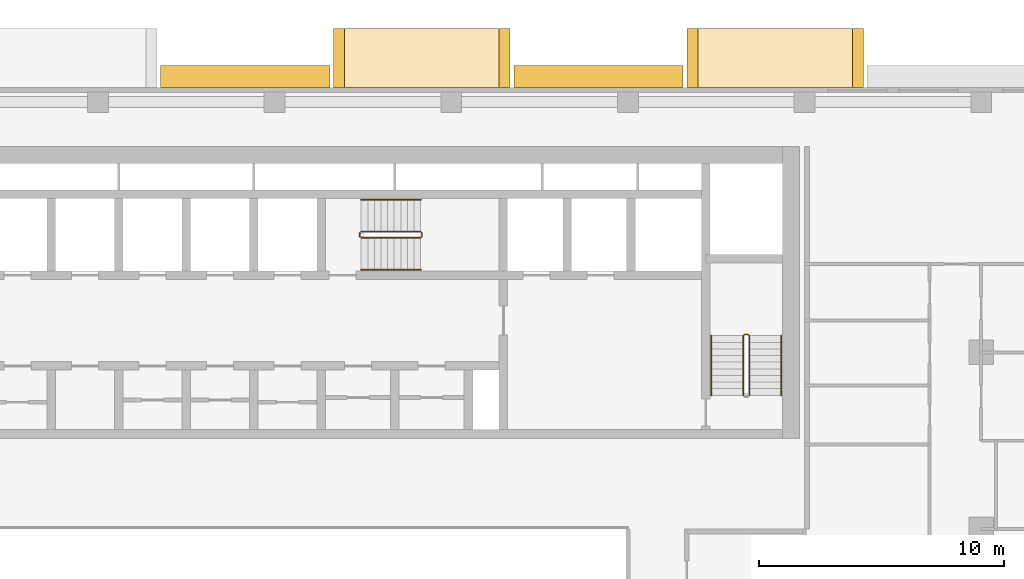
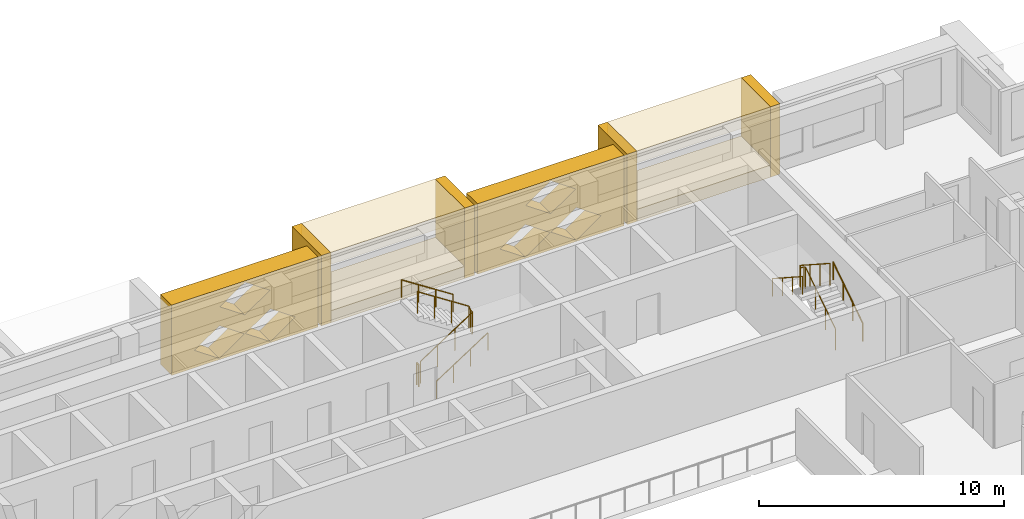
# One storey, part 19 of 20: 10 coverings, 7 railings.
"""IFC4 building model written with IfcOpenShell, lengths in metres."""

import ifcopenshell
import ifcopenshell.guid

model = None  # the IFC model being written
_history = None  # IfcOwnerHistory: only IFC2X3 demands one
_inside = {}  # id of a spatial element -> (the spatial element, [elements in it])
_under = {}  # id of a project, library or spatial element -> (it, [spatial elements below it])
_declared = {}  # id of a project -> (the project, [libraries it declares])
_typed = {}  # id of a type object -> (the type object, [elements of that type])
_made_of = {}  # id of a material, layer set ... -> (it, [elements and type objects made of it])


def new_model(schema):
    """Start an empty IFC model of exactly this schema.

    Asked for "IFC4X3", IfcOpenShell would pick the latest addendum, in which some entities
    have other attributes; the version numbers below select the first issue.
    IFC2X3 requires an IfcOwnerHistory on every rooted entity: one is made here for all.
    """
    global model, _history
    if schema == "IFC4X3":
        model = ifcopenshell.file(schema_version=(4, 3, 0, 0))
    else:
        model = ifcopenshell.file(schema=schema)
    _inside.clear()
    _under.clear()
    _declared.clear()
    _typed.clear()
    _made_of.clear()
    _history = None
    if model.schema == "IFC2X3":
        org = make("IfcOrganization", Name="unknown")
        user = make(
            "IfcPersonAndOrganization",
            ThePerson=make("IfcPerson", FamilyName="unknown"),
            TheOrganization=org,
        )
        app = make(
            "IfcApplication",
            ApplicationDeveloper=org,
            Version="unknown",
            ApplicationFullName="unknown",
            ApplicationIdentifier="unknown",
        )
        _history = make(
            "IfcOwnerHistory",
            OwningUser=user,
            OwningApplication=app,
            ChangeAction="ADDED",
            CreationDate=0,
        )
    return model


def make(cls, **values):
    """One entity of the class cls with the attributes given. An attribute that is None is left unset."""
    return model.create_entity(
        cls, **{name: value for name, value in values.items() if value is not None}
    )


def rooted(cls, **values):
    """An entity with a GlobalId (a new one), such as an element, a storey or a relation."""
    return make(cls, GlobalId=ifcopenshell.guid.new(), OwnerHistory=_history, **values)


def si_unit(unit_type, name, prefix=None):
    """IfcSIUnit, for example si_unit("LENGTHUNIT", "METRE", prefix="MILLI")."""
    return make("IfcSIUnit", UnitType=unit_type, Prefix=prefix, Name=name)


def assignment(units):
    """IfcUnitAssignment: the units of a project."""
    return None if units is None else make("IfcUnitAssignment", Units=units)


def point(xyz):
    """IfcCartesianPoint."""
    return None if xyz is None else make("IfcCartesianPoint", Coordinates=xyz)


def direction(xyz):
    """IfcDirection."""
    return None if xyz is None else make("IfcDirection", DirectionRatios=xyz)


def frame(location, z_axis=None, x_axis=None):
    """IfcAxis2Placement3D, a coordinate frame: its origin and axes. An axis left out is left unset."""
    return make(
        "IfcAxis2Placement3D",
        Location=point(location),
        Axis=direction(z_axis),
        RefDirection=direction(x_axis),
    )


def frame_2d(location, x_axis=None):
    """IfcAxis2Placement2D, a coordinate frame in the plane: its origin and x axis."""
    return make(
        "IfcAxis2Placement2D", Location=point(location), RefDirection=direction(x_axis)
    )


def origin():
    """The frame at (0, 0, 0) with its axes left unset."""
    return frame((0.0, 0.0, 0.0))


def origin_2d():
    """The frame at (0, 0) in the plane with its x axis left unset."""
    return frame_2d((0.0, 0.0))


def place(relative_to, where):
    """IfcLocalPlacement: puts the frame where relative to a parent placement (None: the world)."""
    return make(
        "IfcLocalPlacement", PlacementRelTo=relative_to, RelativePlacement=where
    )


def context(
    kind, dimensions, precision=None, world=None, true_north=None, identifier=None
):
    """IfcGeometricRepresentationContext, for example the 3D "Model" context."""
    return make(
        "IfcGeometricRepresentationContext",
        ContextIdentifier=identifier,
        ContextType=kind,
        CoordinateSpaceDimension=dimensions,
        Precision=precision,
        WorldCoordinateSystem=world,
        TrueNorth=true_north,
    )


def subcontext(parent, identifier, kind, view, scale=None):
    """IfcGeometricRepresentationSubContext, for example "Body" below "Model"."""
    return make(
        "IfcGeometricRepresentationSubContext",
        ContextIdentifier=identifier,
        ContextType=kind,
        ParentContext=parent,
        TargetScale=scale,
        TargetView=view,
    )


def project(units=None, contexts=None):
    """IfcProject with its units and contexts."""
    return rooted(
        "IfcProject",
        Name="project",
        RepresentationContexts=contexts,
        UnitsInContext=assignment(units),
    )


def spatial(cls, under=None, at=None, **own):
    """A site, building, storey or space (cls), placed at a placement, below another one or the project."""
    s = rooted(cls, ObjectPlacement=at, **own)
    if under is not None:
        _under.setdefault(under.id(), (under, []))[1].append(s)
    return s


def polyline(points):
    """IfcPolyline through the points."""
    return make("IfcPolyline", Points=[point(p) for p in points])


def profile(cls, at=None, kind="AREA", **sizes):
    """A parametric profile (cls). Its sizes go by their IFC names, for example OverallWidth=200.0."""
    return make(cls, ProfileType=kind, Position=at, **sizes)


def circle(**sizes):
    """IfcCircleProfileDef."""
    return profile("IfcCircleProfileDef", **sizes)


def outline(outer, holes=None, kind="AREA"):
    """IfcArbitraryClosedProfileDef: a profile drawn as a closed curve; with holes, ...WithVoids."""
    if holes is None:
        return make("IfcArbitraryClosedProfileDef", ProfileType=kind, OuterCurve=outer)
    return make(
        "IfcArbitraryProfileDefWithVoids",
        ProfileType=kind,
        OuterCurve=outer,
        InnerCurves=holes,
    )


def extrude(swept, where, along, depth):
    """IfcExtrudedAreaSolid: the profile swept, set in the frame where, extruded along a direction by depth."""
    return make(
        "IfcExtrudedAreaSolid",
        SweptArea=swept,
        Position=where,
        ExtrudedDirection=direction(along),
        Depth=depth,
    )


def shape(context_of_items, identifier, shape_type, items):
    """IfcShapeRepresentation: the items that make up one representation, for example the "Body"."""
    return make(
        "IfcShapeRepresentation",
        ContextOfItems=context_of_items,
        RepresentationIdentifier=identifier,
        RepresentationType=shape_type,
        Items=items,
    )


def material(Name=None, Category=None):
    """IfcMaterial."""
    return make("IfcMaterial", Name=Name, Category=Category)


def made_of(thing, what):
    """Note that an element or type object is made of a material, layer set ...; save() writes the relation."""
    if what is not None:
        _made_of.setdefault(what.id(), (what, []))[1].append(thing)
    return thing


def type_object(cls, material=None, **own):
    """A type object (cls), such as IfcWallType, which elements share."""
    return made_of(rooted(cls, **own), material)


def element(
    cls,
    number,
    at=None,
    inside=None,
    cuts=None,
    type_object=None,
    material=None,
    context=None,
    identifier="Body",
    shape_type=None,
    held_by="IfcProductDefinitionShape",
    body=None,
    shapes=None,
    **own,
):
    """One element of the class cls, such as IfcWall. Its Tag is "e" and its number.

    at: its placement. inside: the storey or other place that contains it. cuts: it is an
    opening in that element (IfcRelVoidsElement). A single representation is given by context,
    identifier, shape_type and body (its items); several are given by shapes. held_by: the class
    of the entity that holds the representations. save() writes the other relations.
    """
    e = rooted(cls, Tag="e%d" % number, ObjectPlacement=at, **own)
    if body is not None:
        shapes = [shape(context, identifier, shape_type, body)]
    if shapes is not None:
        e.Representation = make(held_by, Representations=shapes)
    if inside is not None:
        _inside.setdefault(inside.id(), (inside, []))[1].append(e)
    if cuts is not None:
        rooted(
            "IfcRelVoidsElement", RelatingBuildingElement=cuts, RelatedOpeningElement=e
        )
    if type_object is not None:
        _typed.setdefault(type_object.id(), (type_object, []))[1].append(e)
    return made_of(e, material)


def aggregate(whole, parts):
    """IfcRelAggregates: a whole, such as a stair, and the parts it consists of."""
    return rooted("IfcRelAggregates", RelatingObject=whole, RelatedObjects=parts)


def save(model, path):
    """Write the relations noted so far, then the file.

    IfcRelAggregates (storeys below a building ...), IfcRelContainedInSpatialStructure (elements
    in a storey), IfcRelDefinesByType, IfcRelAssociatesMaterial and IfcRelDeclares: one each for
    every whole, place, type object, material and project.
    """
    for whole, parts in _under.values():
        aggregate(whole, parts)
    for where, things in _inside.values():
        rooted(
            "IfcRelContainedInSpatialStructure",
            RelatedElements=things,
            RelatingStructure=where,
        )
    for kind, things in _typed.values():
        rooted("IfcRelDefinesByType", RelatedObjects=things, RelatingType=kind)
    for what, things in _made_of.values():
        rooted("IfcRelAssociatesMaterial", RelatedObjects=things, RelatingMaterial=what)
    for by, libraries in _declared.values():
        rooted("IfcRelDeclares", RelatingContext=by, RelatedDefinitions=libraries)
    model.write(path)


model = new_model("IFC4")

# Units and contexts
model_context = context("Model", 3, precision=1e-05, world=origin(), true_north=direction((0.0, 1.0)))
body_context = subcontext(model_context, "Body", "Model", "MODEL_VIEW")
ifc_project = project(units=[si_unit("LENGTHUNIT", "METRE"), si_unit("AREAUNIT", "SQUARE_METRE"), si_unit("VOLUMEUNIT", "CUBIC_METRE"), si_unit("PLANEANGLEUNIT", "RADIAN"), si_unit("MASSUNIT", "GRAM", prefix="KILO")], contexts=[model_context])

# Site, building, storey
site_placement = place(None, origin())
site = spatial("IfcSite", under=ifc_project, at=site_placement, CompositionType="ELEMENT")
building_placement = place(site_placement, origin())
building = spatial("IfcBuilding", under=site, at=building_placement, Name="Saffron Iwan Residences", CompositionType="ELEMENT")
storey_placement = place(building_placement, frame((0.0, 0.0, 146.5)))
storey = spatial("IfcBuildingStorey", under=building, at=storey_placement, Name="L38", CompositionType="ELEMENT", Elevation=146.5)

# Coverings
ifc_material_1 = material(Name="Precast concrete C40/50", Category="concrete")
covering_type_1 = type_object("IfcCoveringType", Name="OUTER SKIN LATTICE SCREEN", PredefinedType="CLADDING", material=ifc_material_1)
for number, where, z_axis, x_axis, name in (
    (1, (67.050048828125, 80.39990234375, -0.300048828125), (0.0, 1.0, 0.0), (-1.0, 0.0, 0.0), "OUTER SKIN lattice screen L38 F5.1"),
    (2, (52.64990234375, 80.39990234375, -0.300048828125), (0.0, 1.0, 0.0), (-1.0, 0.0, 0.0), "OUTER SKIN lattice screen L38 F5.2"),
):
    element("IfcCovering", number, at=place(storey_placement, frame(where, z_axis=z_axis, x_axis=x_axis)), inside=storey, type_object=covering_type_1, Name=name, PredefinedType="CLADDING", context=body_context, shape_type="SweptSolid", body=[
        extrude(outline(polyline([(0.0, 0.0), (6.89990234375, 0.0), (6.89990234375, 3.5), (0.0, 3.5), (0.0, 0.0)]), holes=[polyline([(1.070068359375, 0.875), (2.25, 0.06005859375), (3.429931640625, 0.875), (2.25, 1.68994140625), (1.070068359375, 0.875)]), polyline([(3.469970703125, 0.875), (4.64990234375, 0.06005859375), (5.830078125, 0.875), (4.64990234375, 1.68994140625), (3.469970703125, 0.875)]), polyline([(2.27001953125, 2.625), (3.449951171875, 1.81005859375), (4.6298828125, 2.625), (3.449951171875, 3.43994140625), (2.27001953125, 2.625)])]), origin(), (0.0, 0.0, 1.0), 0.900146484375),
    ])

# Railings
ifc_material_2 = material(Name="Steel S355", Category="steel")
railing_type_1 = type_object("IfcRailingType", Name="Stair guard 1100", PredefinedType="GUARDRAIL", material=ifc_material_2)
railing_1_placement = place(storey_placement, frame((53.925048828125, 74.27490234375, 0.175048828125)))
element("IfcRailing", 3, at=railing_1_placement, inside=storey, type_object=railing_type_1, Name="L38 ST-C stair guard 1", PredefinedType="GUARDRAIL", context=body_context, shape_type="SweptSolid", body=[
    extrude(circle(Radius=0.02392578125, at=origin_2d()), frame((0.0, 0.0, 1.076171875), z_axis=(0.839153699163, 0.0, 0.543894354798), x_axis=(0.0, 1.0, 0.0)), (0.0, 0.0, 1.0), 2.895751953125),
    extrude(circle(Radius=0.02392578125, at=origin_2d()), frame((2.429931640625, 0.0, 2.65087890625), z_axis=(0.707106781187, 0.707106781187, 0.0), x_axis=(-0.707106781187, 0.707106781187, 0.0)), (0.0, 0.0, 1.0), 0.07080078125),
    extrude(circle(Radius=0.02392578125, at=origin_2d()), frame((2.47998046875, 0.050048828125, 2.65087890625), z_axis=(0.0, 1.0, 0.0), x_axis=(-1.0, 0.0, 0.0)), (0.0, 0.0, 1.0), 0.150146484375),
    extrude(circle(Radius=0.02392578125, at=origin_2d()), frame((2.47998046875, 0.2001953125, 2.65087890625), z_axis=(-0.265155923931, 0.263862480399, 0.927399011991), x_axis=(-0.705375805398, -0.708833529934, 0.0)), (0.0, 0.0, 1.0), 0.188720703125),
    extrude(circle(Radius=0.02392578125, at=origin_2d()), frame((2.429931640625, 0.25, 2.826171875), z_axis=(-0.839153699163, 0.0, 0.543894354798), x_axis=(0.0, -1.0, 0.0)), (0.0, 0.0, 1.0), 2.895751953125),
    extrude(circle(Radius=0.02099609375, at=origin_2d()), origin(), (0.0, 0.0, 1.0), 1.052001953125),
    extrude(circle(Radius=0.02099609375, at=origin_2d()), frame((0.81005859375, 0.0, 0.52490234375)), (0.0, 0.0, 1.0), 1.052001953125),
    extrude(circle(Radius=0.02099609375, at=origin_2d()), frame((1.619873046875, 0.0, 1.050048828125)), (0.0, 0.0, 1.0), 1.052001953125),
    extrude(circle(Radius=0.02099609375, at=origin_2d()), frame((2.429931640625, 0.0, 1.574951171875)), (0.0, 0.0, 1.0), 1.052001953125),
    extrude(circle(Radius=0.02099609375, at=origin_2d()), frame((2.47998046875, 0.050048828125, 1.574951171875)), (0.0, 0.0, 1.0), 1.052001953125),
    extrude(circle(Radius=0.02099609375, at=origin_2d()), frame((2.47998046875, 0.2001953125, 1.574951171875)), (0.0, 0.0, 1.0), 1.052001953125),
    extrude(circle(Radius=0.02099609375, at=origin_2d()), frame((2.429931640625, 0.25, 1.75)), (0.0, 0.0, 1.0), 1.052001953125),
    extrude(circle(Radius=0.02099609375, at=origin_2d()), frame((1.619873046875, 0.25, 2.27490234375)), (0.0, 0.0, 1.0), 1.052001953125),
    extrude(circle(Radius=0.02099609375, at=origin_2d()), frame((0.81005859375, 0.25, 2.800048828125)), (0.0, 0.0, 1.0), 1.052001953125),
    extrude(circle(Radius=0.02099609375, at=origin_2d()), frame((0.0, 0.25, 3.324951171875)), (0.0, 0.0, 1.0), 1.052001953125),
])
railing_2_placement = place(storey_placement, frame((53.875, 74.324951171875, 0.0)))
element("IfcRailing", 4, at=railing_2_placement, inside=storey, type_object=railing_type_1, Name="L38 ST-C stair guard 2", PredefinedType="GUARDRAIL", context=body_context, shape_type="SweptSolid", body=[
    extrude(circle(Radius=0.02392578125, at=origin_2d()), frame((0.0, 0.0, 1.076171875), z_axis=(0.0, 1.0, 0.0), x_axis=(-1.0, 0.0, 0.0)), (0.0, 0.0, 1.0), 0.150146484375),
    extrude(circle(Radius=0.02099609375, at=origin_2d()), origin(), (0.0, 0.0, 1.0), 1.052001953125),
    extrude(circle(Radius=0.02099609375, at=origin_2d()), frame((0.0, 0.150146484375, 0.0)), (0.0, 0.0, 1.0), 1.052001953125),
])
railing_3_placement = place(storey_placement, frame((69.75, 67.85009765625, 0.175048828125)))
element("IfcRailing", 5, at=railing_3_placement, inside=storey, type_object=railing_type_1, Name="L38 ST-E stair guard 1", PredefinedType="GUARDRAIL", context=body_context, shape_type="SweptSolid", body=[
    extrude(circle(Radius=0.02392578125, at=origin_2d()), frame((0.0, 0.0, 1.076171875), z_axis=(0.0, 0.839153699163, 0.543894354798), x_axis=(-1.0, 0.0, 0.0)), (0.0, 0.0, 1.0), 2.895751953125),
    extrude(circle(Radius=0.02392578125, at=origin_2d()), frame((0.0, 2.429931640625, 2.65087890625), z_axis=(-0.707106781187, 0.707106781187, 0.0), x_axis=(-0.707106781187, -0.707106781187, 0.0)), (0.0, 0.0, 1.0), 0.07080078125),
    extrude(circle(Radius=0.02392578125, at=origin_2d()), frame((-0.050048828125, 2.47998046875, 2.65087890625), z_axis=(-1.0, 0.0, 0.0), x_axis=(0.0, -1.0, 0.0)), (0.0, 0.0, 1.0), 0.14990234375),
    extrude(circle(Radius=0.02392578125, at=origin_2d()), frame((-0.199951171875, 2.47998046875, 2.65087890625), z_axis=(-0.265065253269, -0.265065253269, 0.927081885822), x_axis=(0.707106781187, -0.707106781187, 0.0)), (0.0, 0.0, 1.0), 0.188720703125),
    extrude(circle(Radius=0.02392578125, at=origin_2d()), frame((-0.25, 2.429931640625, 2.826171875), z_axis=(0.0, -0.839153699163, 0.543894354798), x_axis=(1.0, 0.0, 0.0)), (0.0, 0.0, 1.0), 2.895751953125),
    extrude(circle(Radius=0.02099609375, at=origin_2d()), origin(), (0.0, 0.0, 1.0), 1.052001953125),
    extrude(circle(Radius=0.02099609375, at=origin_2d()), frame((0.0, 0.81005859375, 0.52490234375)), (0.0, 0.0, 1.0), 1.052001953125),
    extrude(circle(Radius=0.02099609375, at=origin_2d()), frame((0.0, 1.619873046875, 1.050048828125)), (0.0, 0.0, 1.0), 1.052001953125),
    extrude(circle(Radius=0.02099609375, at=origin_2d()), frame((0.0, 2.429931640625, 1.574951171875)), (0.0, 0.0, 1.0), 1.052001953125),
    extrude(circle(Radius=0.02099609375, at=origin_2d()), frame((-0.050048828125, 2.47998046875, 1.574951171875)), (0.0, 0.0, 1.0), 1.052001953125),
    extrude(circle(Radius=0.02099609375, at=origin_2d()), frame((-0.199951171875, 2.47998046875, 1.574951171875)), (0.0, 0.0, 1.0), 1.052001953125),
    extrude(circle(Radius=0.02099609375, at=origin_2d()), frame((-0.25, 2.429931640625, 1.75)), (0.0, 0.0, 1.0), 1.052001953125),
    extrude(circle(Radius=0.02099609375, at=origin_2d()), frame((-0.25, 1.619873046875, 2.27490234375)), (0.0, 0.0, 1.0), 1.052001953125),
    extrude(circle(Radius=0.02099609375, at=origin_2d()), frame((-0.25, 0.81005859375, 2.800048828125)), (0.0, 0.0, 1.0), 1.052001953125),
    extrude(circle(Radius=0.02099609375, at=origin_2d()), frame((-0.25, 0.0, 3.324951171875)), (0.0, 0.0, 1.0), 1.052001953125),
])
ifc_material_3 = material(Name="Stainless steel 316", Category="steel")
railing_type_2 = type_object("IfcRailingType", Name="Stair handrail 900", PredefinedType="HANDRAIL", material=ifc_material_3)
railing_4_placement = place(storey_placement, frame((53.925048828125, 72.97509765625, 0.175048828125)))
element("IfcRailing", 6, at=railing_4_placement, inside=storey, type_object=railing_type_2, Name="L38 ST-C stair handrail 1", PredefinedType="HANDRAIL", context=body_context, shape_type="SweptSolid", body=[
    extrude(circle(Radius=0.02392578125, at=origin_2d()), frame((0.0, 0.0, 0.8759765625), z_axis=(0.839153699163, 0.0, 0.543894354798), x_axis=(0.0, 1.0, 0.0)), (0.0, 0.0, 1.0), 2.895751953125),
    extrude(circle(Radius=0.02099609375, at=origin_2d()), origin(), (0.0, 0.0, 1.0), 0.851806640625),
    extrude(circle(Radius=0.02099609375, at=origin_2d()), frame((0.81005859375, 0.0, 0.52490234375)), (0.0, 0.0, 1.0), 0.851806640625),
    extrude(circle(Radius=0.02099609375, at=origin_2d()), frame((1.619873046875, 0.0, 1.050048828125)), (0.0, 0.0, 1.0), 0.851806640625),
    extrude(circle(Radius=0.02099609375, at=origin_2d()), frame((2.429931640625, 0.0, 1.574951171875)), (0.0, 0.0, 1.0), 0.851806640625),
])
railing_5_placement = place(storey_placement, frame((56.35498046875, 75.824951171875, 1.925048828125)))
element("IfcRailing", 7, at=railing_5_placement, inside=storey, type_object=railing_type_2, Name="L38 ST-C stair handrail 2", PredefinedType="HANDRAIL", context=body_context, shape_type="SweptSolid", body=[
    extrude(circle(Radius=0.02392578125, at=origin_2d()), frame((0.0, 0.0, 0.8759765625), z_axis=(-0.839153699163, 0.0, 0.543894354798), x_axis=(0.0, -1.0, 0.0)), (0.0, 0.0, 1.0), 2.895751953125),
    extrude(circle(Radius=0.02099609375, at=origin_2d()), origin(), (0.0, 0.0, 1.0), 0.851806640625),
    extrude(circle(Radius=0.02099609375, at=origin_2d()), frame((-0.81005859375, 0.0, 0.52490234375)), (0.0, 0.0, 1.0), 0.851806640625),
    extrude(circle(Radius=0.02099609375, at=origin_2d()), frame((-1.619873046875, 0.0, 1.050048828125)), (0.0, 0.0, 1.0), 0.851806640625),
    extrude(circle(Radius=0.02099609375, at=origin_2d()), frame((-2.429931640625, 0.0, 1.574951171875)), (0.0, 0.0, 1.0), 0.851806640625),
])
railing_6_placement = place(storey_placement, frame((71.050048828125, 67.85009765625, 0.175048828125)))
element("IfcRailing", 8, at=railing_6_placement, inside=storey, type_object=railing_type_2, Name="L38 ST-E stair handrail 1", PredefinedType="HANDRAIL", context=body_context, shape_type="SweptSolid", body=[
    extrude(circle(Radius=0.02392578125, at=origin_2d()), frame((0.0, 0.0, 0.8759765625), z_axis=(0.0, 0.839153699163, 0.543894354798), x_axis=(-1.0, 0.0, 0.0)), (0.0, 0.0, 1.0), 2.895751953125),
    extrude(circle(Radius=0.02099609375, at=origin_2d()), origin(), (0.0, 0.0, 1.0), 0.851806640625),
    extrude(circle(Radius=0.02099609375, at=origin_2d()), frame((0.0, 0.81005859375, 0.52490234375)), (0.0, 0.0, 1.0), 0.851806640625),
    extrude(circle(Radius=0.02099609375, at=origin_2d()), frame((0.0, 1.619873046875, 1.050048828125)), (0.0, 0.0, 1.0), 0.851806640625),
    extrude(circle(Radius=0.02099609375, at=origin_2d()), frame((0.0, 2.429931640625, 1.574951171875)), (0.0, 0.0, 1.0), 0.851806640625),
])
railing_7_placement = place(storey_placement, frame((68.199951171875, 70.280029296875, 1.925048828125)))
element("IfcRailing", 9, at=railing_7_placement, inside=storey, type_object=railing_type_2, Name="L38 ST-E stair handrail 2", PredefinedType="HANDRAIL", context=body_context, shape_type="SweptSolid", body=[
    extrude(circle(Radius=0.02392578125, at=origin_2d()), frame((0.0, 0.0, 0.8759765625), z_axis=(0.0, -0.839153699163, 0.543894354798), x_axis=(1.0, 0.0, 0.0)), (0.0, 0.0, 1.0), 2.895751953125),
    extrude(circle(Radius=0.02099609375, at=origin_2d()), origin(), (0.0, 0.0, 1.0), 0.851806640625),
    extrude(circle(Radius=0.02099609375, at=origin_2d()), frame((0.0, -0.81005859375, 0.52490234375)), (0.0, 0.0, 1.0), 0.851806640625),
    extrude(circle(Radius=0.02099609375, at=origin_2d()), frame((0.0, -1.619873046875, 1.050048828125)), (0.0, 0.0, 1.0), 0.851806640625),
    extrude(circle(Radius=0.02099609375, at=origin_2d()), frame((0.0, -2.429931640625, 1.574951171875)), (0.0, 0.0, 1.0), 0.851806640625),
])

# Coverings
ifc_material_4 = material(Name="Precast concrete C40/50 white painted", Category="concrete")
covering_type_2 = type_object("IfcCoveringType", Name="WHITE SUN FRAME PRECAST", PredefinedType="CLADDING", material=ifc_material_4)
for number, where, z_axis, x_axis, name in (
    (10, (74.39990234375, 80.39990234375, -0.300048828125), (0.0, 1.0, 0.0), (-1.0, 0.0, 0.0), "Sun frame L38 F5 8.4a"),
    (11, (67.64990234375, 80.39990234375, -0.300048828125), (0.0, 1.0, 0.0), (-1.0, 0.0, 0.0), "Sun frame L38 F5 8.4b"),
):
    element("IfcCovering", number, at=place(storey_placement, frame(where, z_axis=z_axis, x_axis=x_axis)), inside=storey, type_object=covering_type_2, Name=name, PredefinedType="CLADDING", context=body_context, shape_type="SweptSolid", body=[
        extrude(outline(polyline([(0.0, 0.0), (0.449951171875, 0.0), (0.449951171875, 3.5), (0.0, 3.5), (0.0, 0.0)])), origin(), (0.0, 0.0, 1.0), 2.400146484375),
    ])
for number, where, z_axis, x_axis, name in (
    (12, (73.949951171875, 80.39990234375, 2.60009765625), (0.0, 1.0, 0.0), (-1.0, 0.0, 0.0), "Sun frame L38 F5 8.4h"),
    (13, (73.949951171875, 80.39990234375, -0.300048828125), (0.0, 1.0, 0.0), (-1.0, 0.0, 0.0), "Sun frame L38 F5 8.4s"),
):
    element("IfcCovering", number, at=place(storey_placement, frame(where, z_axis=z_axis, x_axis=x_axis)), inside=storey, type_object=covering_type_2, Name=name, PredefinedType="CLADDING", context=body_context, shape_type="SweptSolid", body=[
        extrude(outline(polyline([(0.0, 0.0), (6.300048828125, 0.0), (6.300048828125, 0.60009765625), (0.0, 0.60009765625), (0.0, 0.0)])), origin(), (0.0, 0.0, 1.0), 2.400146484375),
    ])
for number, where, z_axis, x_axis, name in (
    (14, (60.0, 80.39990234375, -0.300048828125), (0.0, 1.0, 0.0), (-1.0, 0.0, 0.0), "Sun frame L38 F5 22.8a"),
    (15, (53.25, 80.39990234375, -0.300048828125), (0.0, 1.0, 0.0), (-1.0, 0.0, 0.0), "Sun frame L38 F5 22.8b"),
):
    element("IfcCovering", number, at=place(storey_placement, frame(where, z_axis=z_axis, x_axis=x_axis)), inside=storey, type_object=covering_type_2, Name=name, PredefinedType="CLADDING", context=body_context, shape_type="SweptSolid", body=[
        extrude(outline(polyline([(0.0, 0.0), (0.449951171875, 0.0), (0.449951171875, 3.5), (0.0, 3.5), (0.0, 0.0)])), origin(), (0.0, 0.0, 1.0), 2.400146484375),
    ])
for number, where, z_axis, x_axis, name in (
    (16, (59.550048828125, 80.39990234375, 2.60009765625), (0.0, 1.0, 0.0), (-1.0, 0.0, 0.0), "Sun frame L38 F5 22.8h"),
    (17, (59.550048828125, 80.39990234375, -0.300048828125), (0.0, 1.0, 0.0), (-1.0, 0.0, 0.0), "Sun frame L38 F5 22.8s"),
):
    element("IfcCovering", number, at=place(storey_placement, frame(where, z_axis=z_axis, x_axis=x_axis)), inside=storey, type_object=covering_type_2, Name=name, PredefinedType="CLADDING", context=body_context, shape_type="SweptSolid", body=[
        extrude(outline(polyline([(0.0, 0.0), (6.300048828125, 0.0), (6.300048828125, 0.60009765625), (0.0, 0.60009765625), (0.0, 0.0)])), origin(), (0.0, 0.0, 1.0), 2.400146484375),
    ])

save(model, "model.ifc")
